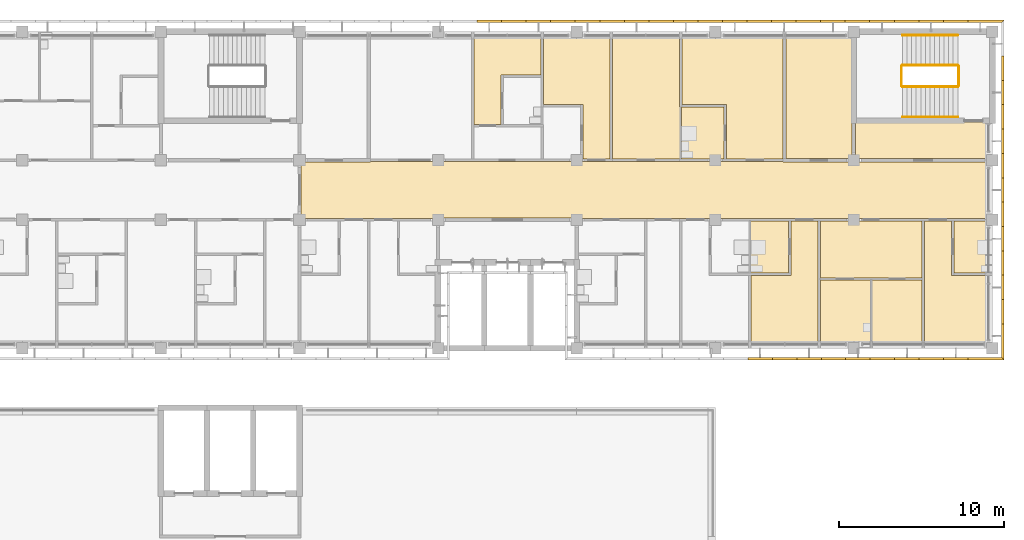
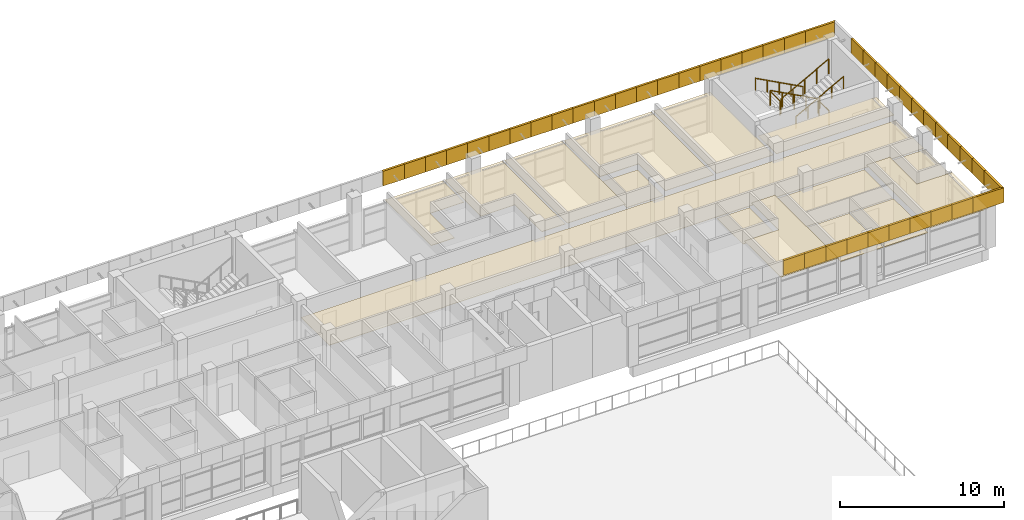
# One storey, part 44 of 46: 58 coverings, 6 railings.
"""IFC4 building model written with IfcOpenShell, lengths in metres."""

from ifc_helpers import new_model, si_unit, direction, frame, origin, origin_2d, place, context, subcontext, project, spatial, polyline, circle, outline, extrude, material, layer, layer_set, type_object, element, save


model = new_model("IFC4")

# Units and contexts
model_context = context("Model", 3, precision=1e-05, world=origin(), true_north=direction((0.0, 1.0)))
body_context = subcontext(model_context, "Body", "Model", "MODEL_VIEW")
ifc_project = project(units=[si_unit("LENGTHUNIT", "METRE"), si_unit("AREAUNIT", "SQUARE_METRE"), si_unit("VOLUMEUNIT", "CUBIC_METRE"), si_unit("PLANEANGLEUNIT", "RADIAN"), si_unit("MASSUNIT", "GRAM", prefix="KILO")], contexts=[model_context])

# Site, building, storey
site_placement = place(None, origin())
site = spatial("IfcSite", under=ifc_project, at=site_placement, CompositionType="ELEMENT")
building_placement = place(site_placement, origin())
building = spatial("IfcBuilding", under=site, at=building_placement, Name="Bougainvillea Quay General Hospital", CompositionType="ELEMENT")
storey_placement = place(building_placement, frame((0.0, 0.0, 28.800048828125)))
storey = spatial("IfcBuildingStorey", under=building, at=storey_placement, Name="L06", CompositionType="ELEMENT", Elevation=28.800048828125)

# Coverings
ifc_material_1 = material(Name="Powder-coated aluminium fascia, white", Category="aluminium")
ifc_layer_1 = layer(ifc_material_1, 0.14990234375)
ifc_layer_set_1 = layer_set([ifc_layer_1], Name="Powder-coated aluminium fascia, white")
covering_type_1 = type_object("IfcCoveringType", Name="Aluminium fascia band white 150x1100", PredefinedType="CLADDING", material=ifc_layer_set_1)
covering_1_placement = place(storey_placement, frame((185.35009765625, 160.14990234375, 3.349853515625), z_axis=(0.0, 0.0, 1.0), x_axis=(-1.0, 0.0, 0.0)))
element("IfcCovering", 1, at=covering_1_placement, inside=storey, type_object=covering_type_1, Name="Fascia band white e0 1", PredefinedType="CLADDING", context=body_context, shape_type="SweptSolid", body=[
    extrude(outline(polyline([(0.0, 0.0), (2.03759765625, 0.0), (2.03759765625, -0.150146484375), (-0.14990234375, -0.150146484375), (0.0, 0.0)])), origin(), (0.0, 0.0, 1.0), 1.10009765625),
])
for number, where, z_axis, x_axis, name in (
    (2, (183.3125, 160.14990234375, 3.349853515625), (0.0, 0.0, 1.0), (-1.0, 0.0, 0.0), "Fascia band white e0 2"),
    (3, (181.824951171875, 160.14990234375, 3.349853515625), (0.0, 0.0, 1.0), (-1.0, 0.0, 0.0), "Fascia band white e0 3"),
):
    element("IfcCovering", number, at=place(storey_placement, frame(where, z_axis=z_axis, x_axis=x_axis)), inside=storey, type_object=covering_type_1, Name=name, PredefinedType="CLADDING", context=body_context, shape_type="SweptSolid", body=[
        extrude(outline(polyline([(0.0, 0.0), (1.487548828125, 0.0), (1.487548828125, -0.150146484375), (0.0, -0.150146484375), (0.0, 0.0)])), origin(), (0.0, 0.0, 1.0), 1.10009765625),
    ])
covering_2_placement = place(storey_placement, frame((180.33740234375, 160.14990234375, 3.349853515625), z_axis=(0.0, 0.0, 1.0), x_axis=(-1.0, 0.0, 0.0)))
element("IfcCovering", 4, at=covering_2_placement, inside=storey, type_object=covering_type_1, Name="Fascia band white e0 4", PredefinedType="CLADDING", context=body_context, shape_type="SweptSolid", body=[
    extrude(outline(polyline([(0.0, 0.0), (1.4873046875, 0.0), (1.4873046875, -0.150146484375), (0.0, -0.150146484375), (0.0, 0.0)])), origin(), (0.0, 0.0, 1.0), 1.10009765625),
])
for number, where, z_axis, x_axis, name in (
    (5, (178.85009765625, 160.14990234375, 3.349853515625), (0.0, 0.0, 1.0), (-1.0, 0.0, 0.0), "Fascia band white e0 5"),
    (6, (177.362548828125, 160.14990234375, 3.349853515625), (0.0, 0.0, 1.0), (-1.0, 0.0, 0.0), "Fascia band white e0 6"),
    (7, (175.875, 160.14990234375, 3.349853515625), (0.0, 0.0, 1.0), (-1.0, 0.0, 0.0), "Fascia band white e0 7"),
    (8, (174.387451171875, 160.14990234375, 3.349853515625), (0.0, 0.0, 1.0), (-1.0, 0.0, 0.0), "Fascia band white e0 8"),
):
    element("IfcCovering", number, at=place(storey_placement, frame(where, z_axis=z_axis, x_axis=x_axis)), inside=storey, type_object=covering_type_1, Name=name, PredefinedType="CLADDING", context=body_context, shape_type="SweptSolid", body=[
        extrude(outline(polyline([(0.0, 0.0), (1.487548828125, 0.0), (1.487548828125, -0.150146484375), (0.0, -0.150146484375), (0.0, 0.0)])), origin(), (0.0, 0.0, 1.0), 1.10009765625),
    ])
covering_3_placement = place(storey_placement, frame((172.89990234375, 160.14990234375, 3.349853515625), z_axis=(0.0, 0.0, 1.0), x_axis=(-1.0, 0.0, 0.0)))
element("IfcCovering", 9, at=covering_3_placement, inside=storey, type_object=covering_type_1, Name="Fascia band white e0 9", PredefinedType="CLADDING", context=body_context, shape_type="SweptSolid", body=[
    extrude(outline(polyline([(0.0, 0.0), (1.4873046875, 0.0), (1.4873046875, -0.150146484375), (0.0, -0.150146484375), (0.0, 0.0)])), origin(), (0.0, 0.0, 1.0), 1.10009765625),
])
for number, where, z_axis, x_axis, name in (
    (10, (171.41259765625, 160.14990234375, 3.349853515625), (0.0, 0.0, 1.0), (-1.0, 0.0, 0.0), "Fascia band white e0 10"),
    (11, (169.925048828125, 160.14990234375, 3.349853515625), (0.0, 0.0, 1.0), (-1.0, 0.0, 0.0), "Fascia band white e0 11"),
    (12, (168.4375, 160.14990234375, 3.349853515625), (0.0, 0.0, 1.0), (-1.0, 0.0, 0.0), "Fascia band white e0 12"),
    (13, (166.949951171875, 160.14990234375, 3.349853515625), (0.0, 0.0, 1.0), (-1.0, 0.0, 0.0), "Fascia band white e0 13"),
):
    element("IfcCovering", number, at=place(storey_placement, frame(where, z_axis=z_axis, x_axis=x_axis)), inside=storey, type_object=covering_type_1, Name=name, PredefinedType="CLADDING", context=body_context, shape_type="SweptSolid", body=[
        extrude(outline(polyline([(0.0, 0.0), (1.487548828125, 0.0), (1.487548828125, -0.150146484375), (0.0, -0.150146484375), (0.0, 0.0)])), origin(), (0.0, 0.0, 1.0), 1.10009765625),
    ])
covering_4_placement = place(storey_placement, frame((165.46240234375, 160.14990234375, 3.349853515625), z_axis=(0.0, 0.0, 1.0), x_axis=(-1.0, 0.0, 0.0)))
element("IfcCovering", 14, at=covering_4_placement, inside=storey, type_object=covering_type_1, Name="Fascia band white e0 14", PredefinedType="CLADDING", context=body_context, shape_type="SweptSolid", body=[
    extrude(outline(polyline([(0.0, 0.0), (1.4873046875, 0.0), (1.4873046875, -0.150146484375), (0.0, -0.150146484375), (0.0, 0.0)])), origin(), (0.0, 0.0, 1.0), 1.10009765625),
])
for number, where, z_axis, x_axis, name in (
    (15, (163.97509765625, 160.14990234375, 3.349853515625), (0.0, 0.0, 1.0), (-1.0, 0.0, 0.0), "Fascia band white e0 15"),
    (16, (162.487548828125, 160.14990234375, 3.349853515625), (0.0, 0.0, 1.0), (-1.0, 0.0, 0.0), "Fascia band white e0 16"),
    (17, (161.0, 160.14990234375, 3.349853515625), (0.0, 0.0, 1.0), (-1.0, 0.0, 0.0), "Fascia band white e0 17"),
    (18, (159.512451171875, 160.14990234375, 3.349853515625), (0.0, 0.0, 1.0), (-1.0, 0.0, 0.0), "Fascia band white e0 18"),
):
    element("IfcCovering", number, at=place(storey_placement, frame(where, z_axis=z_axis, x_axis=x_axis)), inside=storey, type_object=covering_type_1, Name=name, PredefinedType="CLADDING", context=body_context, shape_type="SweptSolid", body=[
        extrude(outline(polyline([(0.0, 0.0), (1.487548828125, 0.0), (1.487548828125, -0.150146484375), (0.0, -0.150146484375), (0.0, 0.0)])), origin(), (0.0, 0.0, 1.0), 1.10009765625),
    ])
covering_5_placement = place(storey_placement, frame((158.02490234375, 160.14990234375, 3.349853515625), z_axis=(0.0, 0.0, 1.0), x_axis=(-1.0, 0.0, 0.0)))
element("IfcCovering", 19, at=covering_5_placement, inside=storey, type_object=covering_type_1, Name="Fascia band white e0 19", PredefinedType="CLADDING", context=body_context, shape_type="SweptSolid", body=[
    extrude(outline(polyline([(0.0, 0.0), (1.4873046875, 0.0), (1.4873046875, -0.150146484375), (0.0, -0.150146484375), (0.0, 0.0)])), origin(), (0.0, 0.0, 1.0), 1.10009765625),
])
for number, where, z_axis, x_axis, name in (
    (20, (156.53759765625, 160.14990234375, 3.349853515625), (0.0, 0.0, 1.0), (-1.0, 0.0, 0.0), "Fascia band white e0 20"),
    (21, (155.050048828125, 160.14990234375, 3.349853515625), (0.0, 0.0, 1.0), (-1.0, 0.0, 0.0), "Fascia band white e0 21"),
):
    element("IfcCovering", number, at=place(storey_placement, frame(where, z_axis=z_axis, x_axis=x_axis)), inside=storey, type_object=covering_type_1, Name=name, PredefinedType="CLADDING", context=body_context, shape_type="SweptSolid", body=[
        extrude(outline(polyline([(0.0, 0.0), (1.487548828125, 0.0), (1.487548828125, -0.150146484375), (0.0, -0.150146484375), (0.0, 0.0)])), origin(), (0.0, 0.0, 1.0), 1.10009765625),
    ])
covering_6_placement = place(storey_placement, frame((169.9765625, 139.85009765625, 3.349853515625), z_axis=(0.0, 0.0, 1.0), x_axis=(1.0, 0.0, 0.0)))
element("IfcCovering", 22, at=covering_6_placement, inside=storey, type_object=covering_type_1, Name="Fascia band white e0 213", PredefinedType="CLADDING", context=body_context, shape_type="SweptSolid", body=[
    extrude(outline(polyline([(0.0, 0.0), (1.482177734375, 0.0), (1.482177734375, -0.150146484375), (0.0, -0.150146484375), (0.0, 0.0)])), origin(), (0.0, 0.0, 1.0), 1.10009765625),
])
for number, where, z_axis, x_axis, name in (
    (23, (171.458740234375, 139.85009765625, 3.349853515625), (0.0, 0.0, 1.0), (1.0, 0.0, 0.0), "Fascia band white e0 214"),
    (24, (172.941162109375, 139.85009765625, 3.349853515625), (0.0, 0.0, 1.0), (1.0, 0.0, 0.0), "Fascia band white e0 215"),
):
    element("IfcCovering", number, at=place(storey_placement, frame(where, z_axis=z_axis, x_axis=x_axis)), inside=storey, type_object=covering_type_1, Name=name, PredefinedType="CLADDING", context=body_context, shape_type="SweptSolid", body=[
        extrude(outline(polyline([(0.0, 0.0), (1.482421875, 0.0), (1.482421875, -0.150146484375), (0.0, -0.150146484375), (0.0, 0.0)])), origin(), (0.0, 0.0, 1.0), 1.10009765625),
    ])
covering_7_placement = place(storey_placement, frame((174.423583984375, 139.85009765625, 3.349853515625), z_axis=(0.0, 0.0, 1.0), x_axis=(1.0, 0.0, 0.0)))
element("IfcCovering", 25, at=covering_7_placement, inside=storey, type_object=covering_type_1, Name="Fascia band white e0 216", PredefinedType="CLADDING", context=body_context, shape_type="SweptSolid", body=[
    extrude(outline(polyline([(0.0, 0.0), (1.482177734375, 0.0), (1.482177734375, -0.150146484375), (0.0, -0.150146484375), (0.0, 0.0)])), origin(), (0.0, 0.0, 1.0), 1.10009765625),
])
for number, where, z_axis, x_axis, name in (
    (26, (175.90576171875, 139.85009765625, 3.349853515625), (0.0, 0.0, 1.0), (1.0, 0.0, 0.0), "Fascia band white e0 217"),
    (27, (177.38818359375, 139.85009765625, 3.349853515625), (0.0, 0.0, 1.0), (1.0, 0.0, 0.0), "Fascia band white e0 218"),
    (28, (178.87060546875, 139.85009765625, 3.349853515625), (0.0, 0.0, 1.0), (1.0, 0.0, 0.0), "Fascia band white e0 219"),
):
    element("IfcCovering", number, at=place(storey_placement, frame(where, z_axis=z_axis, x_axis=x_axis)), inside=storey, type_object=covering_type_1, Name=name, PredefinedType="CLADDING", context=body_context, shape_type="SweptSolid", body=[
        extrude(outline(polyline([(0.0, 0.0), (1.482421875, 0.0), (1.482421875, -0.150146484375), (0.0, -0.150146484375), (0.0, 0.0)])), origin(), (0.0, 0.0, 1.0), 1.10009765625),
    ])
covering_8_placement = place(storey_placement, frame((180.35302734375, 139.85009765625, 3.349853515625), z_axis=(0.0, 0.0, 1.0), x_axis=(1.0, 0.0, 0.0)))
element("IfcCovering", 29, at=covering_8_placement, inside=storey, type_object=covering_type_1, Name="Fascia band white e0 220", PredefinedType="CLADDING", context=body_context, shape_type="SweptSolid", body=[
    extrude(outline(polyline([(0.0, 0.0), (1.482177734375, 0.0), (1.482177734375, -0.150146484375), (0.0, -0.150146484375), (0.0, 0.0)])), origin(), (0.0, 0.0, 1.0), 1.10009765625),
])
covering_9_placement = place(storey_placement, frame((181.835205078125, 139.85009765625, 3.349853515625), z_axis=(0.0, 0.0, 1.0), x_axis=(1.0, 0.0, 0.0)))
element("IfcCovering", 30, at=covering_9_placement, inside=storey, type_object=covering_type_1, Name="Fascia band white e0 221", PredefinedType="CLADDING", context=body_context, shape_type="SweptSolid", body=[
    extrude(outline(polyline([(0.0, 0.0), (1.482421875, 0.0), (1.482421875, -0.150146484375), (0.0, -0.150146484375), (0.0, 0.0)])), origin(), (0.0, 0.0, 1.0), 1.10009765625),
])
covering_10_placement = place(storey_placement, frame((183.317626953125, 139.85009765625, 3.349853515625), z_axis=(0.0, 0.0, 1.0), x_axis=(1.0, 0.0, 0.0)))
element("IfcCovering", 31, at=covering_10_placement, inside=storey, type_object=covering_type_1, Name="Fascia band white e0 222", PredefinedType="CLADDING", context=body_context, shape_type="SweptSolid", body=[
    extrude(outline(polyline([(0.0, 0.0), (2.032470703125, 0.0), (2.182373046875, -0.150146484375), (0.0, -0.150146484375), (0.0, 0.0)])), origin(), (0.0, 0.0, 1.0), 1.10009765625),
])
covering_11_placement = place(storey_placement, frame((185.35009765625, 139.85009765625, 3.349853515625), z_axis=(0.0, 0.0, 1.0), x_axis=(0.0, 1.0, 0.0)))
element("IfcCovering", 32, at=covering_11_placement, inside=storey, type_object=covering_type_1, Name="Fascia band white e0 223", PredefinedType="CLADDING", context=body_context, shape_type="SweptSolid", body=[
    extrude(outline(polyline([(0.0, 0.0), (2.02685546875, 0.0), (2.02685546875, -0.14990234375), (-0.150146484375, -0.14990234375), (0.0, 0.0)])), origin(), (0.0, 0.0, 1.0), 1.10009765625),
])
covering_12_placement = place(storey_placement, frame((185.35009765625, 141.876953125, 3.349853515625), z_axis=(0.0, 0.0, 1.0), x_axis=(0.0, 1.0, 0.0)))
element("IfcCovering", 33, at=covering_12_placement, inside=storey, type_object=covering_type_1, Name="Fascia band white e0 224", PredefinedType="CLADDING", context=body_context, shape_type="SweptSolid", body=[
    extrude(outline(polyline([(0.0, 0.0), (1.476806640625, 0.0), (1.476806640625, -0.14990234375), (0.0, -0.14990234375), (0.0, 0.0)])), origin(), (0.0, 0.0, 1.0), 1.10009765625),
])
covering_13_placement = place(storey_placement, frame((185.35009765625, 143.353759765625, 3.349853515625), z_axis=(0.0, 0.0, 1.0), x_axis=(0.0, 1.0, 0.0)))
element("IfcCovering", 34, at=covering_13_placement, inside=storey, type_object=covering_type_1, Name="Fascia band white e0 225", PredefinedType="CLADDING", context=body_context, shape_type="SweptSolid", body=[
    extrude(outline(polyline([(0.0, 0.0), (1.47705078125, 0.0), (1.47705078125, -0.14990234375), (0.0, -0.14990234375), (0.0, 0.0)])), origin(), (0.0, 0.0, 1.0), 1.10009765625),
])
covering_14_placement = place(storey_placement, frame((185.35009765625, 144.830810546875, 3.349853515625), z_axis=(0.0, 0.0, 1.0), x_axis=(0.0, 1.0, 0.0)))
element("IfcCovering", 35, at=covering_14_placement, inside=storey, type_object=covering_type_1, Name="Fascia band white e0 226", PredefinedType="CLADDING", context=body_context, shape_type="SweptSolid", body=[
    extrude(outline(polyline([(0.0, 0.0), (1.476806640625, 0.0), (1.476806640625, -0.14990234375), (0.0, -0.14990234375), (0.0, 0.0)])), origin(), (0.0, 0.0, 1.0), 1.10009765625),
])
covering_15_placement = place(storey_placement, frame((185.35009765625, 146.3076171875, 3.349853515625), z_axis=(0.0, 0.0, 1.0), x_axis=(0.0, 1.0, 0.0)))
element("IfcCovering", 36, at=covering_15_placement, inside=storey, type_object=covering_type_1, Name="Fascia band white e0 227", PredefinedType="CLADDING", context=body_context, shape_type="SweptSolid", body=[
    extrude(outline(polyline([(0.0, 0.0), (1.47705078125, 0.0), (1.47705078125, -0.14990234375), (0.0, -0.14990234375), (0.0, 0.0)])), origin(), (0.0, 0.0, 1.0), 1.10009765625),
])
covering_16_placement = place(storey_placement, frame((185.35009765625, 147.78466796875, 3.349853515625), z_axis=(0.0, 0.0, 1.0), x_axis=(0.0, 1.0, 0.0)))
element("IfcCovering", 37, at=covering_16_placement, inside=storey, type_object=covering_type_1, Name="Fascia band white e0 228", PredefinedType="CLADDING", context=body_context, shape_type="SweptSolid", body=[
    extrude(outline(polyline([(0.0, 0.0), (1.476806640625, 0.0), (1.476806640625, -0.14990234375), (0.0, -0.14990234375), (0.0, 0.0)])), origin(), (0.0, 0.0, 1.0), 1.10009765625),
])
covering_17_placement = place(storey_placement, frame((185.35009765625, 149.261474609375, 3.349853515625), z_axis=(0.0, 0.0, 1.0), x_axis=(0.0, 1.0, 0.0)))
element("IfcCovering", 38, at=covering_17_placement, inside=storey, type_object=covering_type_1, Name="Fascia band white e0 229", PredefinedType="CLADDING", context=body_context, shape_type="SweptSolid", body=[
    extrude(outline(polyline([(0.0, 0.0), (1.47705078125, 0.0), (1.47705078125, -0.14990234375), (0.0, -0.14990234375), (0.0, 0.0)])), origin(), (0.0, 0.0, 1.0), 1.10009765625),
])
covering_18_placement = place(storey_placement, frame((185.35009765625, 150.738525390625, 3.349853515625), z_axis=(0.0, 0.0, 1.0), x_axis=(0.0, 1.0, 0.0)))
element("IfcCovering", 39, at=covering_18_placement, inside=storey, type_object=covering_type_1, Name="Fascia band white e0 230", PredefinedType="CLADDING", context=body_context, shape_type="SweptSolid", body=[
    extrude(outline(polyline([(0.0, 0.0), (1.476806640625, 0.0), (1.476806640625, -0.14990234375), (0.0, -0.14990234375), (0.0, 0.0)])), origin(), (0.0, 0.0, 1.0), 1.10009765625),
])
covering_19_placement = place(storey_placement, frame((185.35009765625, 152.21533203125, 3.349853515625), z_axis=(0.0, 0.0, 1.0), x_axis=(0.0, 1.0, 0.0)))
element("IfcCovering", 40, at=covering_19_placement, inside=storey, type_object=covering_type_1, Name="Fascia band white e0 231", PredefinedType="CLADDING", context=body_context, shape_type="SweptSolid", body=[
    extrude(outline(polyline([(0.0, 0.0), (1.47705078125, 0.0), (1.47705078125, -0.14990234375), (0.0, -0.14990234375), (0.0, 0.0)])), origin(), (0.0, 0.0, 1.0), 1.10009765625),
])
covering_20_placement = place(storey_placement, frame((185.35009765625, 153.6923828125, 3.349853515625), z_axis=(0.0, 0.0, 1.0), x_axis=(0.0, 1.0, 0.0)))
element("IfcCovering", 41, at=covering_20_placement, inside=storey, type_object=covering_type_1, Name="Fascia band white e0 232", PredefinedType="CLADDING", context=body_context, shape_type="SweptSolid", body=[
    extrude(outline(polyline([(0.0, 0.0), (1.476806640625, 0.0), (1.476806640625, -0.14990234375), (0.0, -0.14990234375), (0.0, 0.0)])), origin(), (0.0, 0.0, 1.0), 1.10009765625),
])
covering_21_placement = place(storey_placement, frame((185.35009765625, 155.169189453125, 3.349853515625), z_axis=(0.0, 0.0, 1.0), x_axis=(0.0, 1.0, 0.0)))
element("IfcCovering", 42, at=covering_21_placement, inside=storey, type_object=covering_type_1, Name="Fascia band white e0 233", PredefinedType="CLADDING", context=body_context, shape_type="SweptSolid", body=[
    extrude(outline(polyline([(0.0, 0.0), (1.47705078125, 0.0), (1.47705078125, -0.14990234375), (0.0, -0.14990234375), (0.0, 0.0)])), origin(), (0.0, 0.0, 1.0), 1.10009765625),
])
covering_22_placement = place(storey_placement, frame((185.35009765625, 156.646240234375, 3.349853515625), z_axis=(0.0, 0.0, 1.0), x_axis=(0.0, 1.0, 0.0)))
element("IfcCovering", 43, at=covering_22_placement, inside=storey, type_object=covering_type_1, Name="Fascia band white e0 234", PredefinedType="CLADDING", context=body_context, shape_type="SweptSolid", body=[
    extrude(outline(polyline([(0.0, 0.0), (1.476806640625, 0.0), (1.476806640625, -0.14990234375), (0.0, -0.14990234375), (0.0, 0.0)])), origin(), (0.0, 0.0, 1.0), 1.10009765625),
])

# Railings
ifc_material_2 = material(Name="Stainless steel 304 balustrade", Category="steel")
railing_type_1 = type_object("IfcRailingType", Name="Stair guard 1100", PredefinedType="GUARDRAIL", material=ifc_material_2)
railing_1_placement = place(storey_placement, frame((182.699951171875, 157.550048828125, 0.14990234375)))
element("IfcRailing", 44, at=railing_1_placement, inside=storey, type_object=railing_type_1, Name="L06 ST-A4 stair guard 1", PredefinedType="GUARDRAIL", context=body_context, shape_type="SweptSolid", body=[
    extrude(circle(Radius=0.02392578125, at=origin_2d()), frame((0.0, 0.0, 1.076171875), z_axis=(-0.881466638993, 0.0, 0.472246296272), x_axis=(0.0, -1.0, 0.0)), (0.0, 0.0, 1.0), 3.811767578125),
    extrude(circle(Radius=0.02099609375, at=origin_2d()), origin(), (0.0, 0.0, 1.0), 1.052001953125),
    extrude(circle(Radius=0.02099609375, at=origin_2d()), frame((-0.83984375, 0.0, 0.449951171875)), (0.0, 0.0, 1.0), 1.052001953125),
    extrude(circle(Radius=0.02099609375, at=origin_2d()), frame((-1.679931640625, 0.0, 0.89990234375)), (0.0, 0.0, 1.0), 1.052001953125),
    extrude(circle(Radius=0.02099609375, at=origin_2d()), frame((-2.52001953125, 0.0, 1.35009765625)), (0.0, 0.0, 1.0), 1.052001953125),
    extrude(circle(Radius=0.02099609375, at=origin_2d()), frame((-3.35986328125, 0.0, 1.800048828125)), (0.0, 0.0, 1.0), 1.052001953125),
])
railing_2_placement = place(storey_placement, frame((179.2900390625, 157.5, 1.949951171875)))
element("IfcRailing", 45, at=railing_2_placement, inside=storey, type_object=railing_type_1, Name="L06 ST-A4 stair guard 2", PredefinedType="GUARDRAIL", context=body_context, shape_type="SweptSolid", body=[
    extrude(circle(Radius=0.02392578125, at=origin_2d()), frame((0.0, 0.0, 1.076171875), z_axis=(0.0, -1.0, 0.0), x_axis=(1.0, 0.0, 0.0)), (0.0, 0.0, 1.0), 1.199951171875),
    extrude(circle(Radius=0.02099609375, at=origin_2d()), origin(), (0.0, 0.0, 1.0), 1.052001953125),
    extrude(circle(Radius=0.02099609375, at=origin_2d()), frame((0.0, -1.199951171875, 0.0)), (0.0, 0.0, 1.0), 1.052001953125),
])
railing_3_placement = place(storey_placement, frame((179.340087890625, 156.25, 2.099853515625)))
element("IfcRailing", 46, at=railing_3_placement, inside=storey, type_object=railing_type_1, Name="L06 ST-A4 stair guard 3", PredefinedType="GUARDRAIL", context=body_context, shape_type="SweptSolid", body=[
    extrude(circle(Radius=0.02392578125, at=origin_2d()), frame((0.0, 0.0, 1.076171875), z_axis=(0.881466638993, 0.0, 0.472246296272), x_axis=(0.0, 1.0, 0.0)), (0.0, 0.0, 1.0), 3.811767578125),
    extrude(circle(Radius=0.02099609375, at=origin_2d()), origin(), (0.0, 0.0, 1.0), 1.052001953125),
    extrude(circle(Radius=0.02099609375, at=origin_2d()), frame((0.83984375, 0.0, 0.449951171875)), (0.0, 0.0, 1.0), 1.052001953125),
    extrude(circle(Radius=0.02099609375, at=origin_2d()), frame((1.679931640625, 0.0, 0.89990234375)), (0.0, 0.0, 1.0), 1.052001953125),
    extrude(circle(Radius=0.02099609375, at=origin_2d()), frame((2.52001953125, 0.0, 1.35009765625)), (0.0, 0.0, 1.0), 1.052001953125),
    extrude(circle(Radius=0.02099609375, at=origin_2d()), frame((3.35986328125, 0.0, 1.800048828125)), (0.0, 0.0, 1.0), 1.052001953125),
])
railing_4_placement = place(storey_placement, frame((182.75, 157.5, 0.0)))
element("IfcRailing", 47, at=railing_4_placement, inside=storey, type_object=railing_type_1, Name="L06 ST-A4 stair guard 4", PredefinedType="GUARDRAIL", context=body_context, shape_type="SweptSolid", body=[
    extrude(circle(Radius=0.02392578125, at=origin_2d()), frame((0.0, 0.0, 1.076171875), z_axis=(0.0, -1.0, 0.0), x_axis=(1.0, 0.0, 0.0)), (0.0, 0.0, 1.0), 1.199951171875),
    extrude(circle(Radius=0.02099609375, at=origin_2d()), origin(), (0.0, 0.0, 1.0), 1.052001953125),
    extrude(circle(Radius=0.02099609375, at=origin_2d()), frame((0.0, -1.199951171875, 0.0)), (0.0, 0.0, 1.0), 1.052001953125),
])
ifc_material_3 = material(Name="Stainless steel 304 handrail", Category="steel")
railing_type_2 = type_object("IfcRailingType", Name="Stair handrail 900", PredefinedType="HANDRAIL", material=ifc_material_3)
railing_5_placement = place(storey_placement, frame((182.699951171875, 159.375, 0.14990234375)))
element("IfcRailing", 48, at=railing_5_placement, inside=storey, type_object=railing_type_2, Name="L06 ST-A4 stair handrail 1", PredefinedType="HANDRAIL", context=body_context, shape_type="SweptSolid", body=[
    extrude(circle(Radius=0.02392578125, at=origin_2d()), frame((0.0, 0.0, 0.8759765625), z_axis=(-0.881466638993, 0.0, 0.472246296272), x_axis=(0.0, -1.0, 0.0)), (0.0, 0.0, 1.0), 3.811767578125),
    extrude(circle(Radius=0.02099609375, at=origin_2d()), origin(), (0.0, 0.0, 1.0), 0.851806640625),
    extrude(circle(Radius=0.02099609375, at=origin_2d()), frame((-0.83984375, 0.0, 0.449951171875)), (0.0, 0.0, 1.0), 0.851806640625),
    extrude(circle(Radius=0.02099609375, at=origin_2d()), frame((-1.679931640625, 0.0, 0.89990234375)), (0.0, 0.0, 1.0), 0.851806640625),
    extrude(circle(Radius=0.02099609375, at=origin_2d()), frame((-2.52001953125, 0.0, 1.35009765625)), (0.0, 0.0, 1.0), 0.851806640625),
    extrude(circle(Radius=0.02099609375, at=origin_2d()), frame((-3.35986328125, 0.0, 1.800048828125)), (0.0, 0.0, 1.0), 0.851806640625),
])
railing_6_placement = place(storey_placement, frame((179.340087890625, 154.425048828125, 2.099853515625)))
element("IfcRailing", 49, at=railing_6_placement, inside=storey, type_object=railing_type_2, Name="L06 ST-A4 stair handrail 2", PredefinedType="HANDRAIL", context=body_context, shape_type="SweptSolid", body=[
    extrude(circle(Radius=0.02392578125, at=origin_2d()), frame((0.0, 0.0, 0.8759765625), z_axis=(0.881466638993, 0.0, 0.472246296272), x_axis=(0.0, 1.0, 0.0)), (0.0, 0.0, 1.0), 3.811767578125),
    extrude(circle(Radius=0.02099609375, at=origin_2d()), origin(), (0.0, 0.0, 1.0), 0.851806640625),
    extrude(circle(Radius=0.02099609375, at=origin_2d()), frame((0.83984375, 0.0, 0.449951171875)), (0.0, 0.0, 1.0), 0.851806640625),
    extrude(circle(Radius=0.02099609375, at=origin_2d()), frame((1.679931640625, 0.0, 0.89990234375)), (0.0, 0.0, 1.0), 0.851806640625),
    extrude(circle(Radius=0.02099609375, at=origin_2d()), frame((2.52001953125, 0.0, 1.35009765625)), (0.0, 0.0, 1.0), 0.851806640625),
    extrude(circle(Radius=0.02099609375, at=origin_2d()), frame((3.35986328125, 0.0, 1.800048828125)), (0.0, 0.0, 1.0), 0.851806640625),
])

# Coverings
ifc_material_4 = material(Name="Mineral fibre ceiling tile")
ifc_layer_2 = layer(ifc_material_4, 0.030029296875)
ifc_layer_set_2 = layer_set([ifc_layer_2], Name="Mineral fibre ceiling tile")
covering_type_2 = type_object("IfcCoveringType", Name="Suspended ceiling mineral fibre tile", PredefinedType="CEILING", material=ifc_layer_set_2)
covering_23_placement = place(storey_placement, frame((0.0, 0.0, 2.699951171875)))
element("IfcCovering", 50, at=covering_23_placement, inside=storey, type_object=covering_type_2, Name="Ceiling Refuge Room RR-A4-L06", PredefinedType="CEILING", context=body_context, shape_type="SweptSolid", body=[
    extrude(outline(polyline([(172.300048828125, 159.60009765625), (172.300048828125, 151.89990234375), (176.300048828125, 151.89990234375), (176.300048828125, 159.60009765625), (172.300048828125, 159.60009765625)])), origin(), (0.0, 0.0, 1.0), 0.030029296875),
])
covering_24_placement = place(storey_placement, frame((0.0, 0.0, 2.699951171875)))
element("IfcCovering", 51, at=covering_24_placement, inside=storey, type_object=covering_type_2, Name="Ceiling Smoke-proof Vestibule ST-A4", PredefinedType="CEILING", context=body_context, shape_type="SweptSolid", body=[
    extrude(outline(polyline([(184.800048828125, 154.10009765625), (176.5, 154.10009765625), (176.5, 151.89990234375), (184.800048828125, 151.89990234375), (184.800048828125, 154.10009765625)])), origin(), (0.0, 0.0, 1.0), 0.030029296875),
])
covering_25_placement = place(storey_placement, frame((0.0, 0.0, 2.699951171875)))
element("IfcCovering", 52, at=covering_25_placement, inside=storey, type_object=covering_type_2, Name="Ceiling Protective Isolation Room 06A39", PredefinedType="CEILING", context=body_context, shape_type="SweptSolid", body=[
    extrude(outline(polyline([(153.375, 159.60009765625), (153.375, 153.97509765625), (155.02490234375, 153.97509765625), (155.02490234375, 156.97509765625), (157.425048828125, 156.97509765625), (157.425048828125, 159.60009765625), (153.375, 159.60009765625)])), origin(), (0.0, 0.0, 1.0), 0.030029296875),
])
covering_26_placement = place(storey_placement, frame((0.0, 0.0, 2.699951171875)))
element("IfcCovering", 53, at=covering_26_placement, inside=storey, type_object=covering_type_2, Name="Ceiling Oncology Patient Room 06A40", PredefinedType="CEILING", context=body_context, shape_type="SweptSolid", body=[
    extrude(outline(polyline([(157.574951171875, 159.60009765625), (157.574951171875, 155.175048828125), (159.97509765625, 155.175048828125), (159.97509765625, 151.875), (161.625, 151.875), (161.625, 159.60009765625), (157.574951171875, 159.60009765625)])), origin(), (0.0, 0.0, 1.0), 0.030029296875),
])
covering_27_placement = place(storey_placement, frame((0.0, 0.0, 2.699951171875)))
element("IfcCovering", 54, at=covering_27_placement, inside=storey, type_object=covering_type_2, Name="Ceiling Treatment and Clean Utility Room 06A41", PredefinedType="CEILING", context=body_context, shape_type="SweptSolid", body=[
    extrude(outline(polyline([(161.77490234375, 159.60009765625), (161.77490234375, 151.875), (165.85009765625, 151.875), (165.85009765625, 155.02490234375), (165.824951171875, 155.02490234375), (165.824951171875, 159.60009765625), (161.77490234375, 159.60009765625)])), origin(), (0.0, 0.0, 1.0), 0.030029296875),
])
covering_28_placement = place(storey_placement, frame((0.0, 0.0, 2.699951171875)))
element("IfcCovering", 55, at=covering_28_placement, inside=storey, type_object=covering_type_2, Name="Ceiling Two-bed Oncology Room 06A42", PredefinedType="CEILING", context=body_context, shape_type="SweptSolid", body=[
    extrude(outline(polyline([(165.97509765625, 159.60009765625), (165.97509765625, 155.175048828125), (168.675048828125, 155.175048828125), (168.675048828125, 151.875), (172.10009765625, 151.875), (172.10009765625, 159.60009765625), (165.97509765625, 159.60009765625)])), origin(), (0.0, 0.0, 1.0), 0.030029296875),
])
covering_29_placement = place(storey_placement, frame((0.0, 0.0, 2.39990234375)))
element("IfcCovering", 56, at=covering_29_placement, inside=storey, type_object=covering_type_2, Name="Ceiling En-suite 06A42", PredefinedType="CEILING", context=body_context, shape_type="SweptSolid", body=[
    extrude(outline(polyline([(168.52490234375, 155.02490234375), (165.949951171875, 155.02490234375), (165.949951171875, 151.875), (168.52490234375, 151.875), (168.52490234375, 155.02490234375)])), origin(), (0.0, 0.0, 1.0), 0.030029296875),
])
covering_30_placement = place(storey_placement, frame((0.0, 0.0, 2.699951171875)))
element("IfcCovering", 57, at=covering_30_placement, inside=storey, type_object=covering_type_2, Name="Ceiling Oncology Patient Room 06A46", PredefinedType="CEILING", context=body_context, shape_type="SweptSolid", body=[
    extrude(outline(polyline([(174.22509765625, 140.39990234375), (174.22509765625, 148.125), (172.574951171875, 148.125), (172.574951171875, 144.824951171875), (170.175048828125, 144.824951171875), (170.175048828125, 140.39990234375), (174.22509765625, 140.39990234375)])), origin(), (0.0, 0.0, 1.0), 0.030029296875),
])
covering_31_placement = place(storey_placement, frame((0.0, 0.0, 2.39990234375)))
element("IfcCovering", 58, at=covering_31_placement, inside=storey, type_object=covering_type_2, Name="Ceiling En-suite 06A46", PredefinedType="CEILING", context=body_context, shape_type="SweptSolid", body=[
    extrude(outline(polyline([(170.14990234375, 148.125), (170.14990234375, 144.97509765625), (172.425048828125, 144.97509765625), (172.425048828125, 148.125), (170.14990234375, 148.125)])), origin(), (0.0, 0.0, 1.0), 0.030029296875),
])
covering_32_placement = place(storey_placement, frame((0.0, 0.0, 2.39990234375)))
element("IfcCovering", 59, at=covering_32_placement, inside=storey, type_object=covering_type_2, Name="Ceiling WC Lobby 06A47", PredefinedType="CEILING", context=body_context, shape_type="SweptSolid", body=[
    extrude(outline(polyline([(180.52490234375, 148.125), (174.375, 148.125), (174.375, 144.64990234375), (180.52490234375, 144.64990234375), (180.52490234375, 148.125)])), origin(), (0.0, 0.0, 1.0), 0.030029296875),
])
covering_33_placement = place(storey_placement, frame((0.0, 0.0, 2.39990234375)))
element("IfcCovering", 60, at=covering_33_placement, inside=storey, type_object=covering_type_2, Name="Ceiling Accessible WC 06A47", PredefinedType="CEILING", context=body_context, shape_type="SweptSolid", body=[
    extrude(outline(polyline([(177.39990234375, 140.39990234375), (177.39990234375, 144.550048828125), (174.375, 144.550048828125), (174.375, 140.39990234375), (177.39990234375, 140.39990234375)])), origin(), (0.0, 0.0, 1.0), 0.030029296875),
])
covering_34_placement = place(storey_placement, frame((0.0, 0.0, 2.39990234375)))
element("IfcCovering", 61, at=covering_34_placement, inside=storey, type_object=covering_type_2, Name="Ceiling Visitors' WC 06A47", PredefinedType="CEILING", context=body_context, shape_type="SweptSolid", body=[
    extrude(outline(polyline([(180.52490234375, 140.39990234375), (180.52490234375, 144.550048828125), (177.5, 144.550048828125), (177.5, 140.39990234375), (180.52490234375, 140.39990234375)])), origin(), (0.0, 0.0, 1.0), 0.030029296875),
])
covering_35_placement = place(storey_placement, frame((0.0, 0.0, 2.699951171875)))
element("IfcCovering", 62, at=covering_35_placement, inside=storey, type_object=covering_type_2, Name="Ceiling Oncology Patient Room 06A48", PredefinedType="CEILING", context=body_context, shape_type="SweptSolid", body=[
    extrude(outline(polyline([(184.800048828125, 140.39990234375), (184.800048828125, 144.824951171875), (182.324951171875, 144.824951171875), (182.324951171875, 148.125), (180.675048828125, 148.125), (180.675048828125, 140.39990234375), (184.800048828125, 140.39990234375)])), origin(), (0.0, 0.0, 1.0), 0.030029296875),
])
covering_36_placement = place(storey_placement, frame((0.0, 0.0, 2.39990234375)))
element("IfcCovering", 63, at=covering_36_placement, inside=storey, type_object=covering_type_2, Name="Ceiling En-suite 06A48", PredefinedType="CEILING", context=body_context, shape_type="SweptSolid", body=[
    extrude(outline(polyline([(184.800048828125, 148.125), (182.47509765625, 148.125), (182.47509765625, 144.97509765625), (184.800048828125, 144.97509765625), (184.800048828125, 148.125)])), origin(), (0.0, 0.0, 1.0), 0.030029296875),
])
covering_37_placement = place(storey_placement, frame((0.0, 0.0, 2.39990234375)))
element("IfcCovering", 64, at=covering_37_placement, inside=storey, type_object=covering_type_2, Name="Ceiling Ward Corridor A4", PredefinedType="CEILING", context=body_context, shape_type="SweptSolid", body=[
    extrude(outline(polyline([(184.800048828125, 151.699951171875), (172.10009765625, 151.699951171875), (172.10009765625, 151.72509765625), (147.10009765625, 151.72509765625), (147.10009765625, 151.699951171875), (142.89990234375, 151.699951171875), (142.89990234375, 148.27490234375), (151.10009765625, 148.27490234375), (151.10009765625, 148.300048828125), (159.699951171875, 148.300048828125), (159.699951171875, 148.27490234375), (184.800048828125, 148.27490234375), (184.800048828125, 151.699951171875)])), origin(), (0.0, 0.0, 1.0), 0.030029296875),
])

save(model, "model.ifc")
